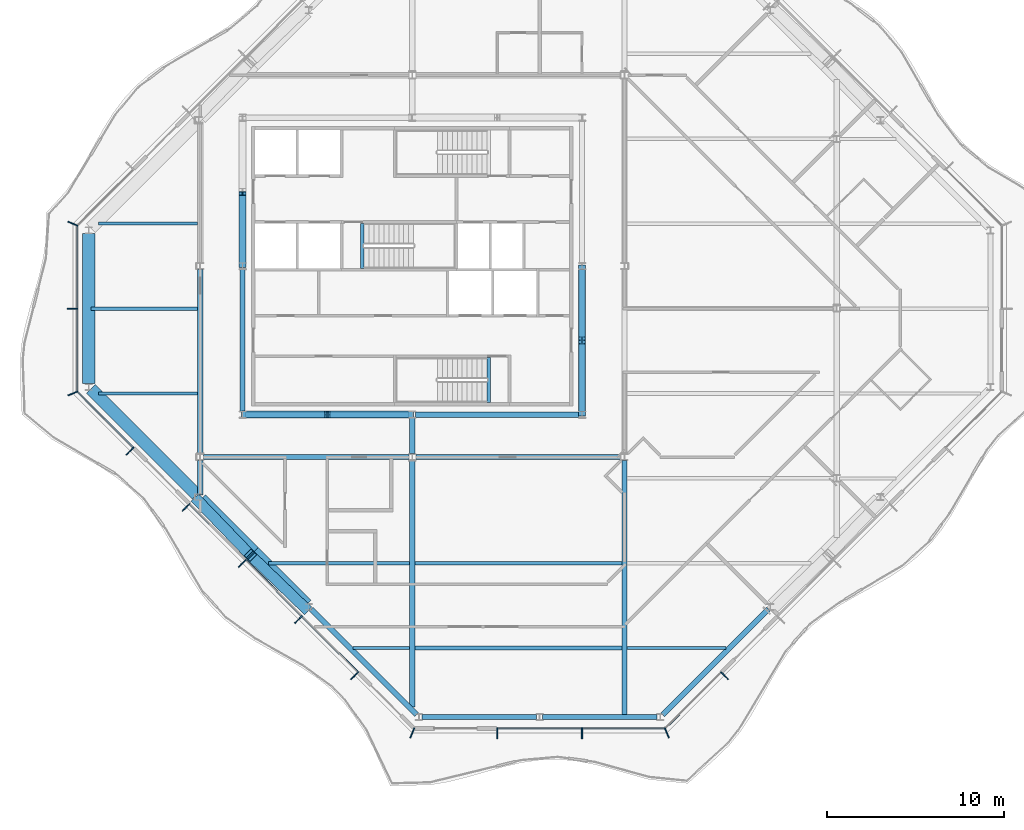
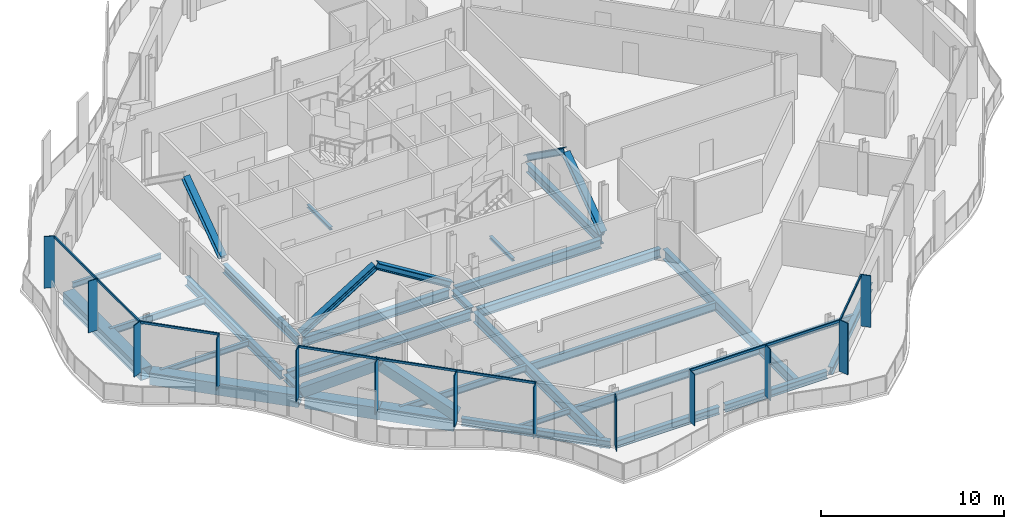
# One storey, part 3 of 16: 29 beams, 29 members, 4 elements without a shape of their own.
"""IFC4 building model written with IfcOpenShell, lengths in metres."""

from ifc_helpers import new_model, si_unit, direction, frame, origin, origin_2d, place, context, subcontext, project, spatial, rectangle, hollow_rectangle, i_section, extrude, material, material_profile, profile_set, type_object, element, aggregate, save


model = new_model("IFC4")

# Units and contexts
model_context = context("Model", 3, precision=1e-05, world=origin(), true_north=direction((0.0, 1.0)))
body_context = subcontext(model_context, "Body", "Model", "MODEL_VIEW")
ifc_project = project(units=[si_unit("LENGTHUNIT", "METRE"), si_unit("AREAUNIT", "SQUARE_METRE"), si_unit("VOLUMEUNIT", "CUBIC_METRE"), si_unit("PLANEANGLEUNIT", "RADIAN"), si_unit("MASSUNIT", "GRAM", prefix="KILO")], contexts=[model_context])

# Site, building, storey
site_placement = place(None, origin())
site = spatial("IfcSite", under=ifc_project, at=site_placement, CompositionType="ELEMENT")
building_placement = place(site_placement, origin())
building = spatial("IfcBuilding", under=site, at=building_placement, Name="Cairn Pilgrim Tower", CompositionType="ELEMENT")
storey_placement = place(building_placement, frame((0.0, 0.0, 288.60009765625)))
storey = spatial("IfcBuildingStorey", under=building, at=storey_placement, Name="L74", CompositionType="ELEMENT", Elevation=288.60009765625)

# Members
ifc_material_1 = material(Name="Structural steel S460M", Category="steel")
ifc_material_profile_1 = material_profile(ifc_material_1, hollow_rectangle(XDim=0.60009765625, YDim=0.60009765625, WallThickness=0.034912109375, at=origin_2d()), Name="BOX 600x600x35")
ifc_profile_set_1 = profile_set([ifc_material_profile_1], Name="Structural steel S460M")
member_type_1 = type_object("IfcMemberType", Name="BOX 600x600x35 BRACE", PredefinedType="BRACE", material=ifc_profile_set_1)
for number, where, z_axis, x_axis, name in (
    (1, (-4.98779296875, -10.80224609375, 0.14990234375), (0.591469196702, -0.613660799233, 0.523053164447), (0.720005582767, 0.693968270733, 0.0), "XB-SW2-SW3-1"),
    (2, (1.19775390625, -16.98779296875, 0.14990234375), (-0.613660799233, 0.591469196702, 0.523053164447), (-0.693968270733, -0.720005582767, 0.0), "XB-SW2-SW3-2"),
):
    element("IfcMember", number, at=place(storey_placement, frame(where, z_axis=z_axis, x_axis=x_axis)), inside=storey, type_object=member_type_1, Name=name, PredefinedType="BRACE", context=body_context, shape_type="SweptSolid", body=[
        extrude(hollow_rectangle(XDim=0.60009765625, YDim=0.60009765625, WallThickness=0.034912109375, at=origin_2d()), origin(), (0.0, 0.0, 1.0), 5.03857421875),
    ])

# Beams
ifc_material_2 = material(Name="Structural steel S355J2", Category="steel")
ifc_material_profile_2 = material_profile(ifc_material_2, hollow_rectangle(XDim=0.699951171875, YDim=0.800048828125, WallThickness=0.0400390625, at=origin_2d()), Name="BOX 700x800x40")
ifc_profile_set_2 = profile_set([ifc_material_profile_2], Name="Structural steel S355J2")
beam_type_1 = type_object("IfcBeamType", Name="BOX 700x800x40 RING GIRDER", PredefinedType="SPANDREL", material=ifc_profile_set_2)
beam_1_placement = place(storey_placement, frame((-11.10009765625, 4.251220703125, -0.550048828125), z_axis=(0.0, -1.0, 0.0), x_axis=(1.0, 0.0, 0.0)))
element("IfcBeam", 3, at=beam_1_placement, inside=storey, type_object=beam_type_1, Name="RG4-W1-SW1", PredefinedType="SPANDREL", context=body_context, shape_type="SweptSolid", body=[
    extrude(hollow_rectangle(XDim=0.699951171875, YDim=0.800048828125, WallThickness=0.0400390625, at=origin_2d()), origin(), (0.0, 0.0, 1.0), 8.50244140625),
])
beam_2_placement = place(storey_placement, frame((-10.9755859375, -4.551513671875, -0.550048828125), z_axis=(0.707092335843, -0.707121226235, 0.0), x_axis=(0.707121226235, 0.707092335843, 0.0)))
element("IfcBeam", 4, at=beam_2_placement, inside=storey, type_object=beam_type_1, Name="RG4-SW1-SW2", PredefinedType="SPANDREL", context=body_context, shape_type="SweptSolid", body=[
    extrude(hollow_rectangle(XDim=0.699951171875, YDim=0.800048828125, WallThickness=0.0400390625, at=origin_2d()), origin(), (0.0, 0.0, 1.0), 8.45068359375),
])
for number, where, z_axis, x_axis, name in (
    (5, (-4.751220703125, -10.77587890625, -0.550048828125), (0.707077889614, -0.707135671578, 0.0), (0.707135671578, 0.707077889614, 0.0), "RG4-SW2-SW3-1"),
    (6, (-1.763671875, -13.763671875, -0.550048828125), (0.707135671578, -0.707077889614, 0.0), (0.707077889614, 0.707135671578, 0.0), "RG4-SW2-SW3-2"),
):
    element("IfcBeam", number, at=place(storey_placement, frame(where, z_axis=z_axis, x_axis=x_axis)), inside=storey, type_object=beam_type_1, Name=name, PredefinedType="SPANDREL", context=body_context, shape_type="SweptSolid", body=[
        extrude(hollow_rectangle(XDim=0.699951171875, YDim=0.800048828125, WallThickness=0.0400390625, at=origin_2d()), origin(), (0.0, 0.0, 1.0), 4.22509765625),
    ])

# Curtain wall, members
ifc_material_3 = material(Name="Aluminium alloy 6063-T6 bronze anodised with Bronze tinted laminated low-E glass 8+16+8.8", Category="aluminium")
curtain_wall_type = type_object("IfcCurtainWallType", Name="CROWN CURTAIN WALL", PredefinedType="NOTDEFINED", material=ifc_material_3)
curtain_wall_1_placement = place(storey_placement, origin())
curtain_wall_1 = element("IfcCurtainWall", 7, at=curtain_wall_1_placement, inside=storey, type_object=curtain_wall_type, Name="Crown Curtain Wall S", PredefinedType="NOTDEFINED")
ifc_material_4 = material(Name="Aluminium alloy 6063-T6 bronze anodised", Category="aluminium")
ifc_material_profile_3 = material_profile(ifc_material_4, rectangle(XDim=0.60009765625, YDim=0.06005859375, at=origin_2d()), Name="FIN MULLION 60x600 BRONZE")
ifc_profile_set_3 = profile_set([ifc_material_profile_3], Name="Aluminium alloy 6063-T6 bronze anodised")
member_type_2 = type_object("IfcMemberType", Name="FIN MULLION 60x600 BRONZE", PredefinedType="MULLION", material=ifc_profile_set_3)
member_1_placement = place(storey_placement, frame((7.2001953125, -23.99951171875, 0.0), z_axis=(0.0, 0.0, 1.0), x_axis=(-0.382683432365, -0.923879532511, 0.0)))
member_1 = element("IfcMember", 8, at=member_1_placement, type_object=member_type_2, Name="Fin mullion S1", PredefinedType="MULLION", context=body_context, shape_type="SweptSolid", body=[
    extrude(rectangle(XDim=0.60009765625, YDim=0.06005859375, at=origin_2d()), origin(), (0.0, 0.0, 1.0), 3.449951171875),
])
member_2_placement = place(storey_placement, frame((12.0, -24.02001953125, 0.0), z_axis=(0.0, 0.0, 1.0), x_axis=(0.0, -1.0, 0.0)))
member_2 = element("IfcMember", 9, at=member_2_placement, type_object=member_type_2, Name="Fin mullion S2", PredefinedType="MULLION", context=body_context, shape_type="SweptSolid", body=[
    extrude(rectangle(XDim=0.60009765625, YDim=0.06005859375, at=origin_2d()), origin(), (0.0, 0.0, 1.0), 3.449951171875),
])
member_3_placement = place(storey_placement, frame((16.800048828125, -24.02001953125, 0.0), z_axis=(0.0, 0.0, 1.0), x_axis=(0.0, -1.0, 0.0)))
member_3 = element("IfcMember", 10, at=member_3_placement, type_object=member_type_2, Name="Fin mullion S3", PredefinedType="MULLION", context=body_context, shape_type="SweptSolid", body=[
    extrude(rectangle(XDim=0.60009765625, YDim=0.06005859375, at=origin_2d()), origin(), (0.0, 0.0, 1.0), 3.449951171875),
])

curtain_wall_2_placement = place(storey_placement, origin())
curtain_wall_2 = element("IfcCurtainWall", 11, at=curtain_wall_2_placement, inside=storey, type_object=curtain_wall_type, Name="Crown Curtain Wall SE", PredefinedType="NOTDEFINED")
member_4_placement = place(storey_placement, frame((21.599853515625, -23.99951171875, 0.0), z_axis=(0.0, 0.0, 1.0), x_axis=(0.382683432365, -0.923879532511, 0.0)))
member_4 = element("IfcMember", 12, at=member_4_placement, type_object=member_type_2, Name="Fin mullion SE1", PredefinedType="MULLION", context=body_context, shape_type="SweptSolid", body=[
    extrude(rectangle(XDim=0.60009765625, YDim=0.06005859375, at=origin_2d()), origin(), (0.0, 0.0, 1.0), 3.449951171875),
])
member_5_placement = place(storey_placement, frame((24.863037109375, -20.765380859375, 0.0), z_axis=(0.0, 0.0, 1.0), x_axis=(0.707106781187, -0.707106781187, 0.0)))
member_5 = element("IfcMember", 13, at=member_5_placement, type_object=member_type_2, Name="Fin mullion SE2", PredefinedType="MULLION", context=body_context, shape_type="SweptSolid", body=[
    extrude(rectangle(XDim=0.60009765625, YDim=0.06005859375, at=origin_2d()), origin(), (0.0, 0.0, 1.0), 3.449951171875),
])

curtain_wall_3_placement = place(storey_placement, origin())
curtain_wall_3 = element("IfcCurtainWall", 14, at=curtain_wall_3_placement, inside=storey, type_object=curtain_wall_type, Name="Crown Curtain Wall W", PredefinedType="NOTDEFINED")
member_6_placement = place(storey_placement, frame((-11.99951171875, 4.7998046875, 0.0), z_axis=(0.0, 0.0, 1.0), x_axis=(-0.923879532511, 0.382683432365, 0.0)))
member_6 = element("IfcMember", 15, at=member_6_placement, type_object=member_type_2, Name="Fin mullion W1", PredefinedType="MULLION", context=body_context, shape_type="SweptSolid", body=[
    extrude(rectangle(XDim=0.60009765625, YDim=0.06005859375, at=origin_2d()), origin(), (0.0, 0.0, 1.0), 3.449951171875),
])
member_7_placement = place(storey_placement, frame((-12.02001953125, 0.0, 0.0), z_axis=(0.0, 0.0, 1.0), x_axis=(-1.0, 0.0, 0.0)))
member_7 = element("IfcMember", 16, at=member_7_placement, type_object=member_type_2, Name="Fin mullion W2", PredefinedType="MULLION", context=body_context, shape_type="SweptSolid", body=[
    extrude(rectangle(XDim=0.60009765625, YDim=0.06005859375, at=origin_2d()), origin(), (0.0, 0.0, 1.0), 3.449951171875),
])

curtain_wall_4_placement = place(storey_placement, origin())
curtain_wall_4 = element("IfcCurtainWall", 17, at=curtain_wall_4_placement, inside=storey, type_object=curtain_wall_type, Name="Crown Curtain Wall SW", PredefinedType="NOTDEFINED")
member_8_placement = place(storey_placement, frame((-11.99951171875, -4.7998046875, 0.0), z_axis=(0.0, 0.0, 1.0), x_axis=(-0.923879532511, -0.382683432365, 0.0)))
member_8 = element("IfcMember", 18, at=member_8_placement, type_object=member_type_2, Name="Fin mullion SW1", PredefinedType="MULLION", context=body_context, shape_type="SweptSolid", body=[
    extrude(rectangle(XDim=0.60009765625, YDim=0.06005859375, at=origin_2d()), origin(), (0.0, 0.0, 1.0), 3.449951171875),
])
member_9_placement = place(storey_placement, frame((-8.765380859375, -8.06298828125, 0.0), z_axis=(0.0, 0.0, 1.0), x_axis=(-0.707106781187, -0.707106781187, 0.0)))
member_9 = element("IfcMember", 19, at=member_9_placement, type_object=member_type_2, Name="Fin mullion SW2", PredefinedType="MULLION", context=body_context, shape_type="SweptSolid", body=[
    extrude(rectangle(XDim=0.60009765625, YDim=0.06005859375, at=origin_2d()), origin(), (0.0, 0.0, 1.0), 3.449951171875),
])
member_10_placement = place(storey_placement, frame((-5.58984375, -11.238525390625, 0.0), z_axis=(0.0, 0.0, 1.0), x_axis=(-0.707106781187, -0.707106781187, 0.0)))
member_10 = element("IfcMember", 20, at=member_10_placement, type_object=member_type_2, Name="Fin mullion SW3", PredefinedType="MULLION", context=body_context, shape_type="SweptSolid", body=[
    extrude(rectangle(XDim=0.60009765625, YDim=0.06005859375, at=origin_2d()), origin(), (0.0, 0.0, 1.0), 3.449951171875),
])
member_11_placement = place(storey_placement, frame((-2.4140625, -14.4140625, 0.0), z_axis=(0.0, 0.0, 1.0), x_axis=(-0.707106781187, -0.707106781187, 0.0)))
member_11 = element("IfcMember", 21, at=member_11_placement, type_object=member_type_2, Name="Fin mullion SW4", PredefinedType="MULLION", context=body_context, shape_type="SweptSolid", body=[
    extrude(rectangle(XDim=0.60009765625, YDim=0.06005859375, at=origin_2d()), origin(), (0.0, 0.0, 1.0), 3.449951171875),
])
member_12_placement = place(storey_placement, frame((0.761474609375, -17.58984375, 0.0), z_axis=(0.0, 0.0, 1.0), x_axis=(-0.707106781187, -0.707106781187, 0.0)))
member_12 = element("IfcMember", 22, at=member_12_placement, type_object=member_type_2, Name="Fin mullion SW5", PredefinedType="MULLION", context=body_context, shape_type="SweptSolid", body=[
    extrude(rectangle(XDim=0.60009765625, YDim=0.06005859375, at=origin_2d()), origin(), (0.0, 0.0, 1.0), 3.449951171875),
])
member_13_placement = place(storey_placement, frame((3.93701171875, -20.765380859375, 0.0), z_axis=(0.0, 0.0, 1.0), x_axis=(-0.707106781187, -0.707106781187, 0.0)))
member_13 = element("IfcMember", 23, at=member_13_placement, type_object=member_type_2, Name="Fin mullion SW6", PredefinedType="MULLION", context=body_context, shape_type="SweptSolid", body=[
    extrude(rectangle(XDim=0.60009765625, YDim=0.06005859375, at=origin_2d()), origin(), (0.0, 0.0, 1.0), 3.449951171875),
])

# Members
ifc_material_profile_4 = material_profile(ifc_material_2, i_section(OverallWidth=0.39794921875, OverallDepth=0.386962890625, WebThickness=0.02099609375, FlangeThickness=0.033203125, FilletRadius=0.014892578125, at=origin_2d()), Name="HD 400x262")
ifc_profile_set_4 = profile_set([ifc_material_profile_4], Name="Structural steel S355J2")
member_type_3 = type_object("IfcMemberType", Name="HD 400x262 BRACE", PredefinedType="BRACE", material=ifc_profile_set_4)
for number, where, z_axis, x_axis, name in (
    (24, (-2.360107421875, -6.0, 0.099853515625), (0.851197168056, 0.0, 0.524846054661), (0.0, 1.0, 0.0), "KB-1A"),
    (25, (7.16015625, -6.0, 0.099853515625), (-0.851197168056, 0.0, 0.524846054661), (0.0, -1.0, 0.0), "KB-1B"),
):
    element("IfcMember", number, at=place(storey_placement, frame(where, z_axis=z_axis, x_axis=x_axis)), inside=storey, type_object=member_type_3, Name=name, PredefinedType="BRACE", context=body_context, shape_type="SweptSolid", body=[
        extrude(i_section(OverallWidth=0.39794921875, OverallDepth=0.386962890625, WebThickness=0.02099609375, FlangeThickness=0.033203125, FilletRadius=0.014892578125, at=origin_2d()), origin(), (0.0, 0.0, 1.0), 5.52978515625),
    ])
for number, where, z_axis, x_axis, name in (
    (26, (16.800048828125, -5.960205078125, 0.099853515625), (0.0, 0.814462005215, 0.580216892258), (-1.0, 0.0, 0.0), "KB-2A"),
    (27, (16.800048828125, 2.360107421875, 0.099853515625), (0.0, -0.814462005215, 0.580216892258), (1.0, 0.0, 0.0), "KB-2B"),
    (28, (-2.39990234375, 2.439697265625, 0.099853515625), (0.0, 0.814462005215, 0.580216892258), (-1.0, 0.0, 0.0), "KB-4B"),
):
    element("IfcMember", number, at=place(storey_placement, frame(where, z_axis=z_axis, x_axis=x_axis)), inside=storey, type_object=member_type_3, Name=name, PredefinedType="BRACE", context=body_context, shape_type="SweptSolid", body=[
        extrude(i_section(OverallWidth=0.39794921875, OverallDepth=0.386962890625, WebThickness=0.02099609375, FlangeThickness=0.033203125, FilletRadius=0.014892578125, at=origin_2d()), origin(), (0.0, 0.0, 1.0), 4.999755859375),
    ])

# Beams
ifc_material_profile_5 = material_profile(ifc_material_2, i_section(OverallWidth=0.300048828125, OverallDepth=0.39990234375, WebThickness=0.013427734375, FlangeThickness=0.02392578125, FilletRadius=0.027099609375, at=origin_2d()), Name="HEB 400")
ifc_profile_set_5 = profile_set([ifc_material_profile_5], Name="Structural steel S355J2")
beam_type_2 = type_object("IfcBeamType", Name="HEB 400 GIRDER", PredefinedType="BEAM", material=ifc_profile_set_5)
beam_3_placement = place(storey_placement, frame((-4.800048828125, -10.545166015625, -0.35009765625), z_axis=(0.0, 1.0, 0.0), x_axis=(-1.0, 0.0, 0.0)))
element("IfcBeam", 29, at=beam_3_placement, inside=storey, type_object=beam_type_2, Name="PG2-E1", PredefinedType="BEAM", context=body_context, shape_type="SweptSolid", body=[
    extrude(i_section(OverallWidth=0.300048828125, OverallDepth=0.39990234375, WebThickness=0.013427734375, FlangeThickness=0.02392578125, FilletRadius=0.027099609375, at=origin_2d()), origin(), (0.0, 0.0, 1.0), 1.9482421875),
])
beam_4_placement = place(storey_placement, frame((7.199951171875, -8.202880859375, -0.35009765625), z_axis=(0.0, 1.0, 0.0), x_axis=(-1.0, 0.0, 0.0)))
element("IfcBeam", 30, at=beam_4_placement, inside=storey, type_object=beam_type_2, Name="PG3-E1", PredefinedType="BEAM", context=body_context, shape_type="SweptSolid", body=[
    extrude(i_section(OverallWidth=0.300048828125, OverallDepth=0.39990234375, WebThickness=0.013427734375, FlangeThickness=0.02392578125, FilletRadius=0.027099609375, at=origin_2d()), origin(), (0.0, 0.0, 1.0), 2.00390625),
])
ifc_material_profile_6 = material_profile(ifc_material_2, i_section(OverallWidth=0.300048828125, OverallDepth=0.5, WebThickness=0.014404296875, FlangeThickness=0.028076171875, FilletRadius=0.027099609375, at=origin_2d()), Name="HEB 500")
ifc_profile_set_6 = profile_set([ifc_material_profile_6], Name="Structural steel S355J2")
beam_type_3 = type_object("IfcBeamType", Name="HEB 500 RING GIRDER", PredefinedType="SPANDREL", material=ifc_profile_set_6)
for number, where, z_axis, x_axis, name in (
    (31, (7.748779296875, -23.10009765625, -0.400146484375), (1.0, 0.0, 0.0), (0.0, 1.0, 0.0), "RG4-S1-S2"),
    (32, (14.575927734375, -23.10009765625, -0.400146484375), (1.0, 0.0, 0.0), (0.0, 1.0, 0.0), "RG4-S2-SE1"),
):
    element("IfcBeam", number, at=place(storey_placement, frame(where, z_axis=z_axis, x_axis=x_axis)), inside=storey, type_object=beam_type_3, Name=name, PredefinedType="SPANDREL", context=body_context, shape_type="SweptSolid", body=[
        extrude(i_section(OverallWidth=0.300048828125, OverallDepth=0.5, WebThickness=0.014404296875, FlangeThickness=0.028076171875, FilletRadius=0.027099609375, at=origin_2d()), origin(), (0.0, 0.0, 1.0), 6.475341796875),
    ])
for number, where, z_axis, x_axis, name in (
    (33, (21.3515625, -22.9755859375, -0.400146484375), (0.707121226235, 0.707092335843, 0.0), (-0.707092335843, 0.707121226235, 0.0), "RG4-SE1-SE2"),
    (34, (1.472900390625, -17.000244140625, -0.400146484375), (0.707121226235, -0.707092335843, 0.0), (0.707092335843, 0.707121226235, 0.0), "RG4-SW3-S1"),
):
    element("IfcBeam", number, at=place(storey_placement, frame(where, z_axis=z_axis, x_axis=x_axis)), inside=storey, type_object=beam_type_3, Name=name, PredefinedType="SPANDREL", context=body_context, shape_type="SweptSolid", body=[
        extrude(i_section(OverallWidth=0.300048828125, OverallDepth=0.5, WebThickness=0.014404296875, FlangeThickness=0.028076171875, FilletRadius=0.027099609375, at=origin_2d()), origin(), (0.0, 0.0, 1.0), 8.45068359375),
    ])
ifc_material_profile_7 = material_profile(ifc_material_2, i_section(OverallWidth=0.300048828125, OverallDepth=0.60009765625, WebThickness=0.015380859375, FlangeThickness=0.030029296875, FilletRadius=0.027099609375, at=origin_2d()), Name="HEB 600")
ifc_profile_set_7 = profile_set([ifc_material_profile_7], Name="Structural steel S355J2")
beam_type_4 = type_object("IfcBeamType", Name="HEB 600 CORE BEAM", PredefinedType="BEAM", material=ifc_profile_set_7)
beam_5_placement = place(storey_placement, frame((-2.220947265625, -6.0, -0.4501953125), z_axis=(1.0, 0.0, 0.0), x_axis=(0.0, 1.0, 0.0)))
element("IfcBeam", 35, at=beam_5_placement, inside=storey, type_object=beam_type_4, Name="CB-1", PredefinedType="BEAM", context=body_context, shape_type="SweptSolid", body=[
    extrude(i_section(OverallWidth=0.300048828125, OverallDepth=0.60009765625, WebThickness=0.015380859375, FlangeThickness=0.030029296875, FilletRadius=0.027099609375, at=origin_2d()), origin(), (0.0, 0.0, 1.0), 9.241943359375),
])
beam_6_placement = place(storey_placement, frame((7.379150390625, -6.0, -0.4501953125), z_axis=(1.0, 0.0, 0.0), x_axis=(0.0, 1.0, 0.0)))
element("IfcBeam", 36, at=beam_6_placement, inside=storey, type_object=beam_type_4, Name="CB-2", PredefinedType="BEAM", context=body_context, shape_type="SweptSolid", body=[
    extrude(i_section(OverallWidth=0.300048828125, OverallDepth=0.60009765625, WebThickness=0.015380859375, FlangeThickness=0.030029296875, FilletRadius=0.027099609375, at=origin_2d()), origin(), (0.0, 0.0, 1.0), 9.24169921875),
])
for number, where, z_axis, x_axis, name in (
    (37, (16.800048828125, -5.82080078125, -0.4501953125), (0.0, 1.0, 0.0), (-1.0, 0.0, 0.0), "CB-3"),
    (38, (-2.39990234375, 2.220947265625, -0.4501953125), (0.0, -1.0, 0.0), (1.0, 0.0, 0.0), "CB-8"),
):
    element("IfcBeam", number, at=place(storey_placement, frame(where, z_axis=z_axis, x_axis=x_axis)), inside=storey, type_object=beam_type_4, Name=name, PredefinedType="BEAM", context=body_context, shape_type="SweptSolid", body=[
        extrude(i_section(OverallWidth=0.300048828125, OverallDepth=0.60009765625, WebThickness=0.015380859375, FlangeThickness=0.030029296875, FilletRadius=0.027099609375, at=origin_2d()), origin(), (0.0, 0.0, 1.0), 8.041748046875),
    ])
ifc_material_profile_8 = material_profile(ifc_material_2, i_section(OverallWidth=0.300048828125, OverallDepth=0.60009765625, WebThickness=0.015380859375, FlangeThickness=0.030029296875, FilletRadius=0.027099609375, at=origin_2d()), Name="HEB 600")
ifc_profile_set_8 = profile_set([ifc_material_profile_8], Name="Structural steel S355J2")
beam_type_5 = type_object("IfcBeamType", Name="HEB 600 GIRDER", PredefinedType="BEAM", material=ifc_profile_set_8)
beam_7_placement = place(storey_placement, frame((-4.800048828125, -8.202880859375, -0.4501953125), z_axis=(0.0, 1.0, 0.0), x_axis=(-1.0, 0.0, 0.0)))
element("IfcBeam", 39, at=beam_7_placement, inside=storey, type_object=beam_type_5, Name="PG2-1", PredefinedType="BEAM", context=body_context, shape_type="SweptSolid", body=[
    extrude(i_section(OverallWidth=0.300048828125, OverallDepth=0.60009765625, WebThickness=0.015380859375, FlangeThickness=0.030029296875, FilletRadius=0.027099609375, at=origin_2d()), origin(), (0.0, 0.0, 1.0), 10.40576171875),
])
ifc_material_profile_9 = material_profile(ifc_material_2, i_section(OverallWidth=0.300048828125, OverallDepth=0.60009765625, WebThickness=0.015380859375, FlangeThickness=0.030029296875, FilletRadius=0.027099609375, at=origin_2d()), Name="HEB 600")
ifc_profile_set_9 = profile_set([ifc_material_profile_9], Name="Structural steel S355J2")
beam_type_6 = type_object("IfcBeamType", Name="HEB 600 INNER GIRDER", PredefinedType="BEAM", material=ifc_profile_set_9)
for number, where, z_axis, x_axis, name in (
    (40, (-4.60302734375, -8.39990234375, -0.4501953125), (1.0, 0.0, 0.0), (0.0, 1.0, 0.0), "IG1-1"),
    (41, (7.39697265625, -8.39990234375, -0.4501953125), (1.0, 0.0, 0.0), (0.0, 1.0, 0.0), "IG1-2"),
):
    element("IfcBeam", number, at=place(storey_placement, frame(where, z_axis=z_axis, x_axis=x_axis)), inside=storey, type_object=beam_type_6, Name=name, PredefinedType="BEAM", context=body_context, shape_type="SweptSolid", body=[
        extrude(i_section(OverallWidth=0.300048828125, OverallDepth=0.60009765625, WebThickness=0.015380859375, FlangeThickness=0.030029296875, FilletRadius=0.027099609375, at=origin_2d()), origin(), (0.0, 0.0, 1.0), 11.60595703125),
    ])
ifc_material_profile_10 = material_profile(ifc_material_2, i_section(OverallWidth=0.300048828125, OverallDepth=0.699951171875, WebThickness=0.01708984375, FlangeThickness=0.031982421875, FilletRadius=0.027099609375, at=origin_2d()), Name="HEB 700")
ifc_profile_set_10 = profile_set([ifc_material_profile_10], Name="Structural steel S355J2")
beam_type_7 = type_object("IfcBeamType", Name="HEB 700 GIRDER", PredefinedType="BEAM", material=ifc_profile_set_10)
beam_8_placement = place(storey_placement, frame((7.199951171875, -22.545166015625, -0.5), z_axis=(0.0, 1.0, 0.0), x_axis=(-1.0, 0.0, 0.0)))
element("IfcBeam", 42, at=beam_8_placement, inside=storey, type_object=beam_type_7, Name="PG3-1", PredefinedType="BEAM", context=body_context, shape_type="SweptSolid", body=[
    extrude(i_section(OverallWidth=0.300048828125, OverallDepth=0.699951171875, WebThickness=0.01708984375, FlangeThickness=0.031982421875, FilletRadius=0.027099609375, at=origin_2d()), origin(), (0.0, 0.0, 1.0), 13.9482421875),
])
beam_9_placement = place(storey_placement, frame((19.199951171875, -22.97998046875, -0.5), z_axis=(0.0, 1.0, 0.0), x_axis=(-1.0, 0.0, 0.0)))
element("IfcBeam", 43, at=beam_9_placement, inside=storey, type_object=beam_type_7, Name="PG4-1", PredefinedType="BEAM", context=body_context, shape_type="SweptSolid", body=[
    extrude(i_section(OverallWidth=0.300048828125, OverallDepth=0.699951171875, WebThickness=0.01708984375, FlangeThickness=0.031982421875, FilletRadius=0.027099609375, at=origin_2d()), origin(), (0.0, 0.0, 1.0), 14.383056640625),
])
ifc_material_profile_11 = material_profile(ifc_material_2, i_section(OverallWidth=0.169921875, OverallDepth=0.360107421875, WebThickness=0.008056640625, FlangeThickness=0.0126953125, FilletRadius=0.01806640625, at=origin_2d()), Name="IPE 360")
ifc_profile_set_11 = profile_set([ifc_material_profile_11], Name="Structural steel S355J2")
beam_type_8 = type_object("IfcBeamType", Name="IPE 360 SECONDARY BEAM", PredefinedType="JOIST", material=ifc_profile_set_11)
beam_10_placement = place(storey_placement, frame((3.85498046875, -19.199951171875, -0.330078125), z_axis=(1.0, 0.0, 0.0), x_axis=(0.0, 1.0, 0.0)))
element("IfcBeam", 44, at=beam_10_placement, inside=storey, type_object=beam_type_8, Name="SB1-1", PredefinedType="JOIST", context=body_context, shape_type="SweptSolid", body=[
    extrude(i_section(OverallWidth=0.169921875, OverallDepth=0.360107421875, WebThickness=0.008056640625, FlangeThickness=0.0126953125, FilletRadius=0.01806640625, at=origin_2d()), origin(), (0.0, 0.0, 1.0), 3.195068359375),
])
beam_11_placement = place(storey_placement, frame((19.35009765625, -19.199951171875, -0.330078125), z_axis=(1.0, 0.0, 0.0), x_axis=(0.0, 1.0, 0.0)))
element("IfcBeam", 45, at=beam_11_placement, inside=storey, type_object=beam_type_8, Name="SB1-3", PredefinedType="JOIST", context=body_context, shape_type="SweptSolid", body=[
    extrude(i_section(OverallWidth=0.169921875, OverallDepth=0.360107421875, WebThickness=0.008056640625, FlangeThickness=0.0126953125, FilletRadius=0.01806640625, at=origin_2d()), origin(), (0.0, 0.0, 1.0), 5.594970703125),
])
for number, where, z_axis, x_axis, name in (
    (46, (-10.545166015625, -4.800048828125, -0.330078125), (1.0, 0.0, 0.0), (0.0, 1.0, 0.0), "SB4-1"),
    (47, (-10.545166015625, 4.800048828125, -0.330078125), (1.0, 0.0, 0.0), (0.0, 1.0, 0.0), "SB6-1"),
):
    element("IfcBeam", number, at=place(storey_placement, frame(where, z_axis=z_axis, x_axis=x_axis)), inside=storey, type_object=beam_type_8, Name=name, PredefinedType="JOIST", context=body_context, shape_type="SweptSolid", body=[
        extrude(i_section(OverallWidth=0.169921875, OverallDepth=0.360107421875, WebThickness=0.008056640625, FlangeThickness=0.0126953125, FilletRadius=0.01806640625, at=origin_2d()), origin(), (0.0, 0.0, 1.0), 5.59521484375),
    ])
ifc_material_profile_12 = material_profile(ifc_material_2, i_section(OverallWidth=0.18994140625, OverallDepth=0.449951171875, WebThickness=0.009521484375, FlangeThickness=0.0146484375, FilletRadius=0.02099609375, at=origin_2d()), Name="IPE 450")
ifc_profile_set_12 = profile_set([ifc_material_profile_12], Name="Structural steel S355J2")
beam_type_9 = type_object("IfcBeamType", Name="IPE 450 SECONDARY BEAM", PredefinedType="JOIST", material=ifc_profile_set_12)
beam_12_placement = place(storey_placement, frame((-0.945068359375, -14.39990234375, -0.375), z_axis=(1.0, 0.0, 0.0), x_axis=(0.0, 1.0, 0.0)))
element("IfcBeam", 48, at=beam_12_placement, inside=storey, type_object=beam_type_9, Name="SB2-1", PredefinedType="JOIST", context=body_context, shape_type="SweptSolid", body=[
    extrude(i_section(OverallWidth=0.18994140625, OverallDepth=0.449951171875, WebThickness=0.009521484375, FlangeThickness=0.0146484375, FilletRadius=0.02099609375, at=origin_2d()), origin(), (0.0, 0.0, 1.0), 7.9951171875),
])
beam_13_placement = place(storey_placement, frame((-10.97998046875, 0.0, -0.375), z_axis=(1.0, 0.0, 0.0), x_axis=(0.0, 1.0, 0.0)))
element("IfcBeam", 49, at=beam_13_placement, inside=storey, type_object=beam_type_9, Name="SB5-1", PredefinedType="JOIST", context=body_context, shape_type="SweptSolid", body=[
    extrude(i_section(OverallWidth=0.18994140625, OverallDepth=0.449951171875, WebThickness=0.009521484375, FlangeThickness=0.0146484375, FilletRadius=0.02099609375, at=origin_2d()), origin(), (0.0, 0.0, 1.0), 6.030029296875),
])
ifc_material_profile_13 = material_profile(ifc_material_2, i_section(OverallWidth=0.2099609375, OverallDepth=0.550048828125, WebThickness=0.010986328125, FlangeThickness=0.01708984375, FilletRadius=0.02392578125, at=origin_2d()), Name="IPE 550")
ifc_profile_set_13 = profile_set([ifc_material_profile_13], Name="Structural steel S355J2")
beam_type_10 = type_object("IfcBeamType", Name="IPE 550 SECONDARY BEAM", PredefinedType="JOIST", material=ifc_profile_set_13)
for number, where, z_axis, x_axis, name in (
    (50, (7.35009765625, -19.199951171875, -0.425048828125), (1.0, 0.0, 0.0), (0.0, 1.0, 0.0), "SB1-2"),
    (51, (7.35009765625, -14.39990234375, -0.425048828125), (1.0, 0.0, 0.0), (0.0, 1.0, 0.0), "SB2-2"),
):
    element("IfcBeam", number, at=place(storey_placement, frame(where, z_axis=z_axis, x_axis=x_axis)), inside=storey, type_object=beam_type_10, Name=name, PredefinedType="JOIST", context=body_context, shape_type="SweptSolid", body=[
        extrude(i_section(OverallWidth=0.2099609375, OverallDepth=0.550048828125, WebThickness=0.010986328125, FlangeThickness=0.01708984375, FilletRadius=0.02392578125, at=origin_2d()), origin(), (0.0, 0.0, 1.0), 11.699951171875),
    ])
ifc_material_profile_14 = material_profile(ifc_material_2, i_section(OverallWidth=0.199951171875, OverallDepth=0.199951171875, WebThickness=0.009033203125, FlangeThickness=0.014892578125, FilletRadius=0.01806640625, at=origin_2d()), Name="HE 200 B")
ifc_profile_set_14 = profile_set([ifc_material_profile_14], Name="Structural steel S355J2")
beam_type_11 = type_object("IfcBeamType", Name="STAIR LANDING BEAM HE 200 B", PredefinedType="BEAM", material=ifc_profile_set_14)
beam_14_placement = place(storey_placement, frame((11.5244140625, -2.77490234375, -0.25), z_axis=(0.0, -1.0, 0.0), x_axis=(1.0, 0.0, 0.0)))
element("IfcBeam", 52, at=beam_14_placement, inside=storey, type_object=beam_type_11, Name="STAIR LANDING BEAM LD-HE200B", PredefinedType="BEAM", context=body_context, shape_type="SweptSolid", body=[
    extrude(i_section(OverallWidth=0.199951171875, OverallDepth=0.199951171875, WebThickness=0.009033203125, FlangeThickness=0.014892578125, FilletRadius=0.01806640625, at=origin_2d()), origin(), (0.0, 0.0, 1.0), 2.525146484375),
])
beam_15_placement = place(storey_placement, frame((4.37548828125, 2.27490234375, -0.25), z_axis=(0.0, 1.0, 0.0), x_axis=(-1.0, 0.0, 0.0)))
element("IfcBeam", 53, at=beam_15_placement, inside=storey, type_object=beam_type_11, Name="STAIR LANDING BEAM LD-HE200B", PredefinedType="BEAM", context=body_context, shape_type="SweptSolid", body=[
    extrude(i_section(OverallWidth=0.199951171875, OverallDepth=0.199951171875, WebThickness=0.009033203125, FlangeThickness=0.014892578125, FilletRadius=0.01806640625, at=origin_2d()), origin(), (0.0, 0.0, 1.0), 2.550048828125),
])

# Member
ifc_material_profile_15 = material_profile(ifc_material_4, rectangle(XDim=0.080078125, YDim=0.14990234375, at=origin_2d()), Name="TRANSOM 80x150 BRONZE")
ifc_profile_set_15 = profile_set([ifc_material_profile_15], Name="Aluminium alloy 6063-T6 bronze anodised")
member_type_4 = type_object("IfcMemberType", Name="TRANSOM 80x150 BRONZE", PredefinedType="USERDEFINED", material=ifc_profile_set_15)
member_14_placement = place(storey_placement, frame((12.030029296875, -23.75, 3.375), z_axis=(1.0, 0.0, 0.0), x_axis=(0.0, 1.0, 0.0)))
member_14 = element("IfcMember", 54, at=member_14_placement, type_object=member_type_4, Name="Transom S2", ObjectType="TRANSOM", PredefinedType="USERDEFINED", context=body_context, shape_type="SweptSolid", body=[
    extrude(rectangle(XDim=0.080078125, YDim=0.14990234375, at=origin_2d()), origin(), (0.0, 0.0, 1.0), 4.739990234375),
])

member_15_placement = place(storey_placement, frame((16.830078125, -23.75, 3.375), z_axis=(1.0, 0.0, 0.0), x_axis=(0.0, 1.0, 0.0)))
member_15 = element("IfcMember", 55, at=member_15_placement, type_object=member_type_4, Name="Transom S3", ObjectType="TRANSOM", PredefinedType="USERDEFINED", context=body_context, shape_type="SweptSolid", body=[
    extrude(rectangle(XDim=0.080078125, YDim=0.14990234375, at=origin_2d()), origin(), (0.0, 0.0, 1.0), 4.62646484375),
])

aggregate(curtain_wall_1, [member_1, member_2, member_3, member_14, member_15])

member_16_placement = place(storey_placement, frame((21.524658203125, -23.7216796875, 3.375), z_axis=(0.707134392299, 0.707079168996, 0.0), x_axis=(-0.707079168996, 0.707134392299, 0.0)))
member_16 = element("IfcMember", 56, at=member_16_placement, type_object=member_type_4, Name="Transom SE1", ObjectType="TRANSOM", PredefinedType="USERDEFINED", context=body_context, shape_type="SweptSolid", body=[
    extrude(rectangle(XDim=0.080078125, YDim=0.14990234375, at=origin_2d()), origin(), (0.0, 0.0, 1.0), 4.4208984375),
])

aggregate(curtain_wall_2, [member_4, member_5, member_16])

member_17_placement = place(storey_placement, frame((-11.75, 4.656494140625, 3.375), z_axis=(0.0, -1.0, 0.0), x_axis=(1.0, 0.0, 0.0)))
member_17 = element("IfcMember", 57, at=member_17_placement, type_object=member_type_4, Name="Transom W1", ObjectType="TRANSOM", PredefinedType="USERDEFINED", context=body_context, shape_type="SweptSolid", body=[
    extrude(rectangle(XDim=0.080078125, YDim=0.14990234375, at=origin_2d()), origin(), (0.0, 0.0, 1.0), 4.62646484375),
])

member_18_placement = place(storey_placement, frame((-11.75, -0.030029296875, 3.375), z_axis=(0.0, -1.0, 0.0), x_axis=(1.0, 0.0, 0.0)))
member_18 = element("IfcMember", 58, at=member_18_placement, type_object=member_type_4, Name="Transom W2", ObjectType="TRANSOM", PredefinedType="USERDEFINED", context=body_context, shape_type="SweptSolid", body=[
    extrude(rectangle(XDim=0.080078125, YDim=0.14990234375, at=origin_2d()), origin(), (0.0, 0.0, 1.0), 4.62646484375),
])

aggregate(curtain_wall_3, [member_6, member_7, member_17, member_18])

member_19_placement = place(storey_placement, frame((-11.7216796875, -4.724609375, 3.375), z_axis=(0.707079168996, -0.707134392299, 0.0), x_axis=(0.707134392299, 0.707079168996, 0.0)))
member_19 = element("IfcMember", 59, at=member_19_placement, type_object=member_type_4, Name="Transom SW1", ObjectType="TRANSOM", PredefinedType="USERDEFINED", context=body_context, shape_type="SweptSolid", body=[
    extrude(rectangle(XDim=0.080078125, YDim=0.14990234375, at=origin_2d()), origin(), (0.0, 0.0, 1.0), 4.4208984375),
])

member_20_placement = place(storey_placement, frame((-5.377685546875, -11.06884765625, 3.375), z_axis=(0.707134329907, -0.707079231393, 0.0), x_axis=(0.707079231393, 0.707134329907, 0.0)))
member_20 = element("IfcMember", 60, at=member_20_placement, type_object=member_type_4, Name="Transom SW3", ObjectType="TRANSOM", PredefinedType="USERDEFINED", context=body_context, shape_type="SweptSolid", body=[
    extrude(rectangle(XDim=0.080078125, YDim=0.14990234375, at=origin_2d()), origin(), (0.0, 0.0, 1.0), 4.430908203125),
])

member_21_placement = place(storey_placement, frame((-2.201904296875, -14.244384765625, 3.375), z_axis=(0.707079231393, -0.707134329907, 0.0), x_axis=(0.707134329907, 0.707079231393, 0.0)))
member_21 = element("IfcMember", 61, at=member_21_placement, type_object=member_type_4, Name="Transom SW4", ObjectType="TRANSOM", PredefinedType="USERDEFINED", context=body_context, shape_type="SweptSolid", body=[
    extrude(rectangle(XDim=0.080078125, YDim=0.14990234375, at=origin_2d()), origin(), (0.0, 0.0, 1.0), 4.430908203125),
])

member_22_placement = place(storey_placement, frame((0.9736328125, -17.419921875, 3.375), z_axis=(0.707079231393, -0.707134329907, 0.0), x_axis=(0.707134329907, 0.707079231393, 0.0)))
member_22 = element("IfcMember", 62, at=member_22_placement, type_object=member_type_4, Name="Transom SW5", ObjectType="TRANSOM", PredefinedType="USERDEFINED", context=body_context, shape_type="SweptSolid", body=[
    extrude(rectangle(XDim=0.080078125, YDim=0.14990234375, at=origin_2d()), origin(), (0.0, 0.0, 1.0), 4.430908203125),
])

aggregate(curtain_wall_4, [member_8, member_9, member_10, member_11, member_12, member_13, member_19, member_20, member_21, member_22])

save(model, "model.ifc")
